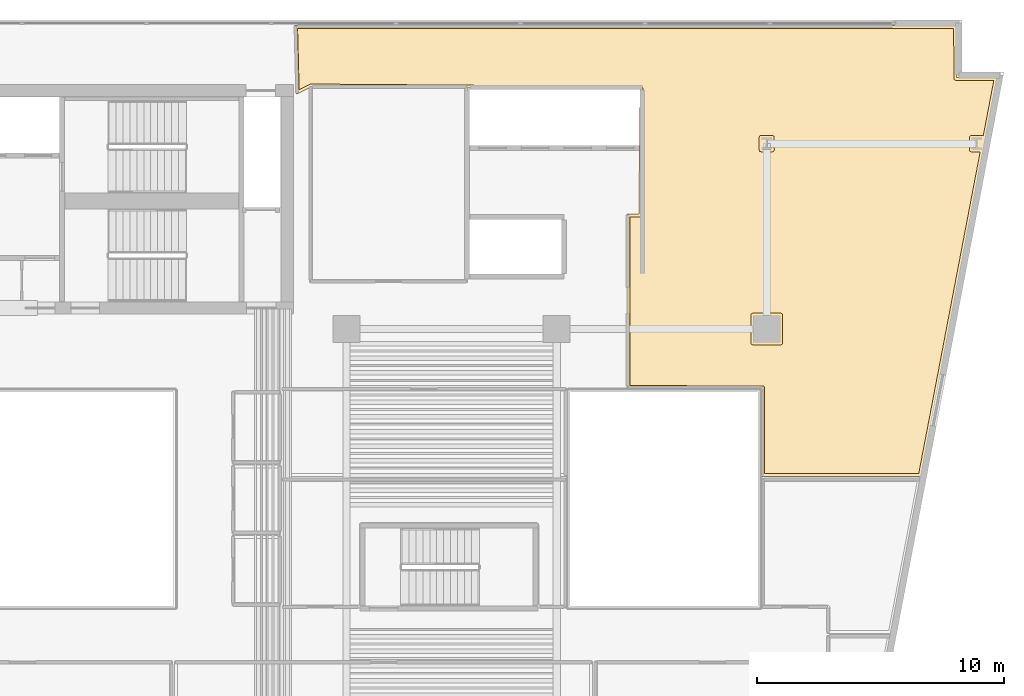
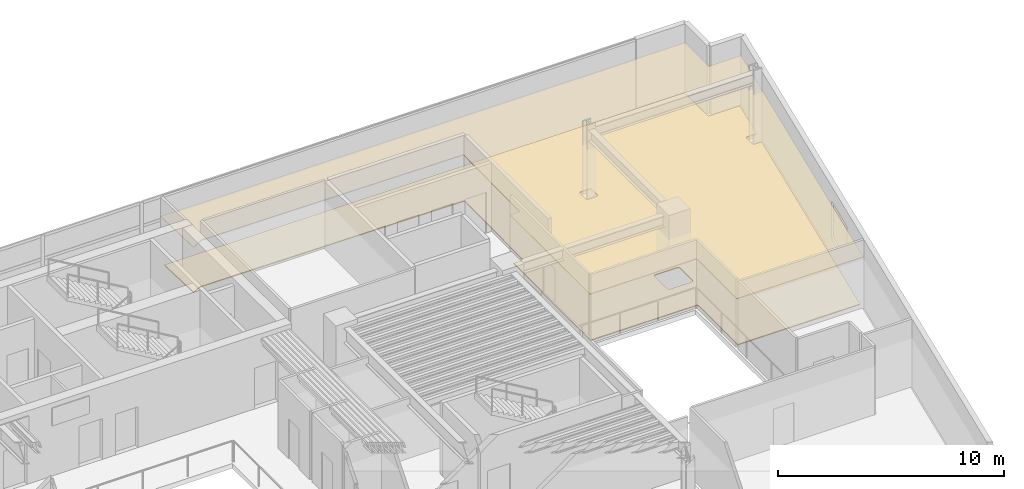
# One storey, part 13 of 13: 2 coverings.
"""IFC4 building model written with IfcOpenShell, lengths in metres."""

from ifc_helpers import new_model, si_unit, direction, frame, origin, place, context, subcontext, project, spatial, polyline, outline, extrude, material, layer, layer_set, type_object, element, save


model = new_model("IFC4")

# Units and contexts
model_context = context("Model", 3, precision=1e-05, world=origin(), true_north=direction((0.0, 1.0)))
body_context = subcontext(model_context, "Body", "Model", "MODEL_VIEW")
ifc_project = project(units=[si_unit("LENGTHUNIT", "METRE"), si_unit("AREAUNIT", "SQUARE_METRE"), si_unit("VOLUMEUNIT", "CUBIC_METRE"), si_unit("PLANEANGLEUNIT", "RADIAN"), si_unit("MASSUNIT", "GRAM", prefix="KILO")], contexts=[model_context])

# Site, building, storey
site_placement = place(None, origin())
site = spatial("IfcSite", under=ifc_project, at=site_placement, CompositionType="ELEMENT")
building_placement = place(site_placement, origin())
building = spatial("IfcBuilding", under=site, at=building_placement, Name="Caeloran Harvest Quay", CompositionType="ELEMENT")
storey_placement = place(building_placement, frame((0.0, 0.0, 143.0)))
storey = spatial("IfcBuildingStorey", under=building, at=storey_placement, Name="L33", CompositionType="ELEMENT", Elevation=143.0)

# Coverings
ifc_material_1 = material(Name="Perforated Mineral-Fibre Acoustic Ceiling Tile", Category="ceiling")
ifc_layer_1 = layer(ifc_material_1, 0.0400390625, Name="Perforated Mineral-Fibre Acoustic Ceiling Tile")
ifc_layer_set_1 = layer_set([ifc_layer_1], Name="Perforated Mineral-Fibre Acoustic Ceiling Tile")
covering_type_1 = type_object("IfcCoveringType", Name="COV-CEILING-ACOUSTIC", PredefinedType="CEILING", material=ifc_layer_set_1)
covering_1_placement = place(storey_placement, frame((0.0, 0.0, 2.60009765625)))
element("IfcCovering", 1, at=covering_1_placement, inside=storey, type_object=covering_type_1, Name="Food Texture Sensory Laboratory 9 Acoustic Ceiling", PredefinedType="CEILING", context=body_context, shape_type="SweptSolid", body=[
    extrude(outline(polyline([(48.75048828125, 25.0400390625), (42.2900390625, 25.0400390625), (42.2900390625, 28.590087890625), (36.840087890625, 28.590087890625), (36.840087890625, 35.659912109375), (37.330322265625, 35.659912109375), (37.36962890625, 40.690185546875), (24.059326171875, 40.789794921875), (23.4716796875, 40.4912109375), (23.39990234375, 43.280029296875), (50.179931640625, 43.280029296875), (50.179931640625, 41.179931640625), (51.8330078125, 41.179931640625), (48.75048828125, 25.0400390625)])), origin(), (0.0, 0.0, 1.0), 0.039794921875),
])
ifc_material_2 = material(Name="Calcium-Sulphate Raised Access Floor and Terrazzo Finish", Category="flooring")
ifc_layer_2 = layer(ifc_material_2, 0.050048828125, Name="Calcium-Sulphate Raised Access Floor and Terrazzo Finish")
ifc_layer_set_2 = layer_set([ifc_layer_2], Name="Calcium-Sulphate Raised Access Floor and Terrazzo Finish")
covering_type_2 = type_object("IfcCoveringType", Name="COV-FLOOR-RAISED", PredefinedType="FLOORING", material=ifc_layer_set_2)
covering_2_placement = place(storey_placement, origin())
element("IfcCovering", 2, at=covering_2_placement, inside=storey, type_object=covering_type_2, Name="Food Texture Sensory Laboratory 9 Raised Finish Flooring", PredefinedType="FLOORING", context=body_context, shape_type="SweptSolid", body=[
    extrude(outline(polyline([(50.06005859375, 43.159912109375), (50.078125, 41.089111328125), (50.132080078125, 41.060302734375), (51.68798828125, 41.06005859375), (51.260986328125, 38.82421875), (50.76513671875, 38.83154296875), (50.694580078125, 38.767578125), (50.70654296875, 38.20361328125), (50.76513671875, 38.16845703125), (51.135498046875, 38.16796875), (48.6513671875, 25.159912109375), (42.409912109375, 25.159912109375), (42.409912109375, 28.6298828125), (42.37451171875, 28.696533203125), (36.9599609375, 28.7099609375), (36.9599609375, 35.5400390625), (37.377685546875, 35.540283203125), (37.44970703125, 35.611572265625), (37.489990234375, 40.7294921875), (37.467041015625, 40.7861328125), (37.41064453125, 40.81005859375), (24.050537109375, 40.909912109375), (23.586669921875, 40.684326171875), (23.52294921875, 43.159912109375), (50.06005859375, 43.159912109375)]), holes=[polyline([(41.93505859375, 31.64501953125), (41.87841796875, 31.62158203125), (41.85498046875, 31.56494140625), (41.85498046875, 30.43505859375), (41.87841796875, 30.37841796875), (41.93505859375, 30.35498046875), (43.06494140625, 30.35498046875), (43.12158203125, 30.37841796875), (43.14501953125, 30.43505859375), (43.14501953125, 31.56494140625), (43.12158203125, 31.62158203125), (43.06494140625, 31.64501953125), (41.93505859375, 31.64501953125)]), polyline([(42.806884765625, 38.248046875), (42.788818359375, 38.802734375), (42.73486328125, 38.83154296875), (42.27294921875, 38.83203125), (42.21630859375, 38.80859375), (42.193115234375, 38.751953125), (42.193115234375, 38.248046875), (42.21630859375, 38.19140625), (42.27294921875, 38.16796875), (42.72705078125, 38.16796875), (42.78369140625, 38.19140625), (42.806884765625, 38.248046875)])]), origin(), (0.0, 0.0, 1.0), 0.050048828125),
])

save(model, "model.ifc")
